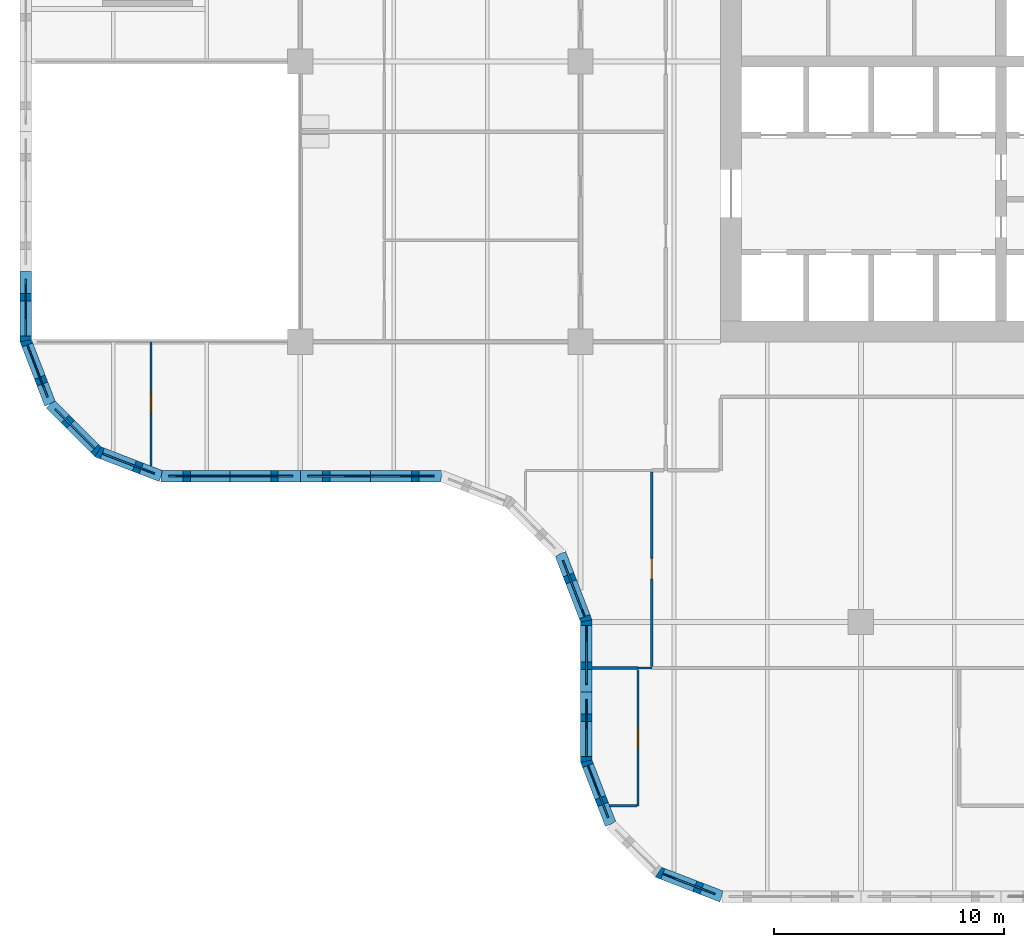
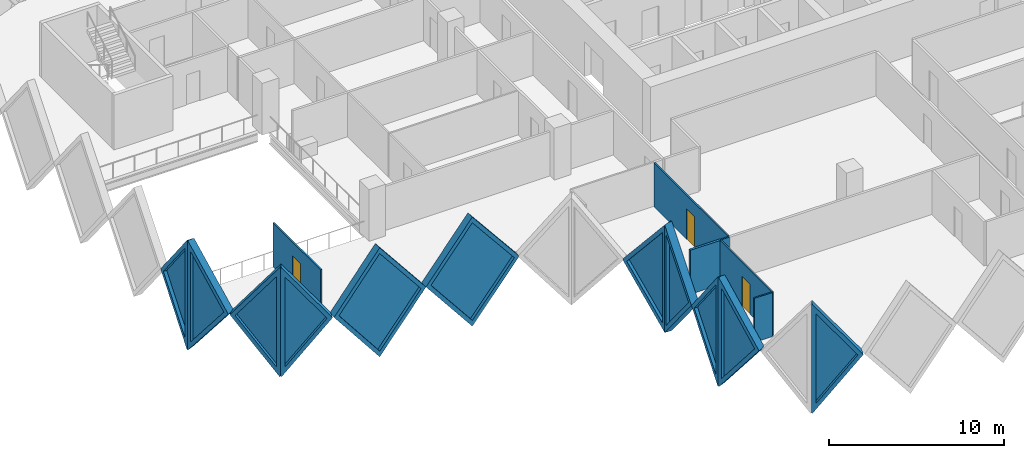
# One storey, part 4 of 20: 17 walls, 11 plates, 3 doors, 14 openings.
"""IFC4 building model written with IfcOpenShell, lengths in metres."""

import ifcopenshell
import ifcopenshell.guid

model = None  # the IFC model being written
_history = None  # IfcOwnerHistory: only IFC2X3 demands one
_inside = {}  # id of a spatial element -> (the spatial element, [elements in it])
_under = {}  # id of a project, library or spatial element -> (it, [spatial elements below it])
_declared = {}  # id of a project -> (the project, [libraries it declares])
_typed = {}  # id of a type object -> (the type object, [elements of that type])
_made_of = {}  # id of a material, layer set ... -> (it, [elements and type objects made of it])


def new_model(schema):
    """Start an empty IFC model of exactly this schema.

    Asked for "IFC4X3", IfcOpenShell would pick the latest addendum, in which some entities
    have other attributes; the version numbers below select the first issue.
    IFC2X3 requires an IfcOwnerHistory on every rooted entity: one is made here for all.
    """
    global model, _history
    if schema == "IFC4X3":
        model = ifcopenshell.file(schema_version=(4, 3, 0, 0))
    else:
        model = ifcopenshell.file(schema=schema)
    _inside.clear()
    _under.clear()
    _declared.clear()
    _typed.clear()
    _made_of.clear()
    _history = None
    if model.schema == "IFC2X3":
        org = make("IfcOrganization", Name="unknown")
        user = make(
            "IfcPersonAndOrganization",
            ThePerson=make("IfcPerson", FamilyName="unknown"),
            TheOrganization=org,
        )
        app = make(
            "IfcApplication",
            ApplicationDeveloper=org,
            Version="unknown",
            ApplicationFullName="unknown",
            ApplicationIdentifier="unknown",
        )
        _history = make(
            "IfcOwnerHistory",
            OwningUser=user,
            OwningApplication=app,
            ChangeAction="ADDED",
            CreationDate=0,
        )
    return model


def make(cls, **values):
    """One entity of the class cls with the attributes given. An attribute that is None is left unset."""
    return model.create_entity(
        cls, **{name: value for name, value in values.items() if value is not None}
    )


def rooted(cls, **values):
    """An entity with a GlobalId (a new one), such as an element, a storey or a relation."""
    return make(cls, GlobalId=ifcopenshell.guid.new(), OwnerHistory=_history, **values)


def si_unit(unit_type, name, prefix=None):
    """IfcSIUnit, for example si_unit("LENGTHUNIT", "METRE", prefix="MILLI")."""
    return make("IfcSIUnit", UnitType=unit_type, Prefix=prefix, Name=name)


def assignment(units):
    """IfcUnitAssignment: the units of a project."""
    return None if units is None else make("IfcUnitAssignment", Units=units)


def point(xyz):
    """IfcCartesianPoint."""
    return None if xyz is None else make("IfcCartesianPoint", Coordinates=xyz)


def direction(xyz):
    """IfcDirection."""
    return None if xyz is None else make("IfcDirection", DirectionRatios=xyz)


def frame(location, z_axis=None, x_axis=None):
    """IfcAxis2Placement3D, a coordinate frame: its origin and axes. An axis left out is left unset."""
    return make(
        "IfcAxis2Placement3D",
        Location=point(location),
        Axis=direction(z_axis),
        RefDirection=direction(x_axis),
    )


def frame_2d(location, x_axis=None):
    """IfcAxis2Placement2D, a coordinate frame in the plane: its origin and x axis."""
    return make(
        "IfcAxis2Placement2D", Location=point(location), RefDirection=direction(x_axis)
    )


def origin():
    """The frame at (0, 0, 0) with its axes left unset."""
    return frame((0.0, 0.0, 0.0))


def place(relative_to, where):
    """IfcLocalPlacement: puts the frame where relative to a parent placement (None: the world)."""
    return make(
        "IfcLocalPlacement", PlacementRelTo=relative_to, RelativePlacement=where
    )


def context(
    kind, dimensions, precision=None, world=None, true_north=None, identifier=None
):
    """IfcGeometricRepresentationContext, for example the 3D "Model" context."""
    return make(
        "IfcGeometricRepresentationContext",
        ContextIdentifier=identifier,
        ContextType=kind,
        CoordinateSpaceDimension=dimensions,
        Precision=precision,
        WorldCoordinateSystem=world,
        TrueNorth=true_north,
    )


def subcontext(parent, identifier, kind, view, scale=None):
    """IfcGeometricRepresentationSubContext, for example "Body" below "Model"."""
    return make(
        "IfcGeometricRepresentationSubContext",
        ContextIdentifier=identifier,
        ContextType=kind,
        ParentContext=parent,
        TargetScale=scale,
        TargetView=view,
    )


def project(units=None, contexts=None):
    """IfcProject with its units and contexts."""
    return rooted(
        "IfcProject",
        Name="project",
        RepresentationContexts=contexts,
        UnitsInContext=assignment(units),
    )


def spatial(cls, under=None, at=None, **own):
    """A site, building, storey or space (cls), placed at a placement, below another one or the project."""
    s = rooted(cls, ObjectPlacement=at, **own)
    if under is not None:
        _under.setdefault(under.id(), (under, []))[1].append(s)
    return s


def polyline(points):
    """IfcPolyline through the points."""
    return make("IfcPolyline", Points=[point(p) for p in points])


def profile(cls, at=None, kind="AREA", **sizes):
    """A parametric profile (cls). Its sizes go by their IFC names, for example OverallWidth=200.0."""
    return make(cls, ProfileType=kind, Position=at, **sizes)


def rectangle(**sizes):
    """IfcRectangleProfileDef."""
    return profile("IfcRectangleProfileDef", **sizes)


def outline(outer, holes=None, kind="AREA"):
    """IfcArbitraryClosedProfileDef: a profile drawn as a closed curve; with holes, ...WithVoids."""
    if holes is None:
        return make("IfcArbitraryClosedProfileDef", ProfileType=kind, OuterCurve=outer)
    return make(
        "IfcArbitraryProfileDefWithVoids",
        ProfileType=kind,
        OuterCurve=outer,
        InnerCurves=holes,
    )


def extrude(swept, where, along, depth):
    """IfcExtrudedAreaSolid: the profile swept, set in the frame where, extruded along a direction by depth."""
    return make(
        "IfcExtrudedAreaSolid",
        SweptArea=swept,
        Position=where,
        ExtrudedDirection=direction(along),
        Depth=depth,
    )


def faces_of(points, faces, orient=None, outer=None):
    """IfcFace entities. A face is a list of loops; a loop is a list of indices into points, from 0.

    orient and outer hold one flag for each loop. By default every Orientation is true, the
    first loop of a face is its IfcFaceOuterBound and the others are IfcFaceBound.
    """
    made = []
    for i, loops in enumerate(faces):
        bounds = []
        for j, loop in enumerate(loops):
            is_outer = j == 0 if outer is None else outer[i][j]
            bounds.append(
                make(
                    "IfcFaceOuterBound" if is_outer else "IfcFaceBound",
                    Bound=make("IfcPolyLoop", Polygon=[points[k] for k in loop]),
                    Orientation=True if orient is None else orient[i][j],
                )
            )
        made.append(make("IfcFace", Bounds=bounds))
    return made


def faceted_brep(points, faces, orient=None, outer=None, voids=None):
    """IfcFacetedBrep: a solid bounded by flat faces; with voids (closed shells), ...WithVoids."""
    shared = [point(p) for p in points]
    hull = make("IfcClosedShell", CfsFaces=faces_of(shared, faces, orient, outer))
    if voids is None:
        return make("IfcFacetedBrep", Outer=hull)
    return make(
        "IfcFacetedBrepWithVoids",
        Outer=hull,
        Voids=[
            make(cls, CfsFaces=faces_of(shared, fs, o, b)) for cls, fs, o, b in voids
        ],
    )


def shape(context_of_items, identifier, shape_type, items):
    """IfcShapeRepresentation: the items that make up one representation, for example the "Body"."""
    return make(
        "IfcShapeRepresentation",
        ContextOfItems=context_of_items,
        RepresentationIdentifier=identifier,
        RepresentationType=shape_type,
        Items=items,
    )


def source(mapping_origin, context_of_items, identifier, shape_type, items):
    """IfcRepresentationMap: a shape defined once, which mapped items show again and again."""
    return make(
        "IfcRepresentationMap",
        MappingOrigin=mapping_origin,
        MappedRepresentation=shape(context_of_items, identifier, shape_type, items),
    )


def transform(
    local_origin,
    x_axis=None,
    y_axis=None,
    z_axis=None,
    scale=None,
    scale2=None,
    scale3=None,
    uniform=True,
):
    """IfcCartesianTransformationOperator3D, or its non-uniform kind. x_axis, y_axis, z_axis: its Axis1, 2, 3."""
    if uniform:
        return make(
            "IfcCartesianTransformationOperator3D",
            Axis1=direction(x_axis),
            Axis2=direction(y_axis),
            LocalOrigin=point(local_origin),
            Scale=scale,
            Axis3=direction(z_axis),
        )
    return make(
        "IfcCartesianTransformationOperator3DnonUniform",
        Axis1=direction(x_axis),
        Axis2=direction(y_axis),
        LocalOrigin=point(local_origin),
        Scale=scale,
        Axis3=direction(z_axis),
        Scale2=scale2,
        Scale3=scale3,
    )


def mapped(mapping_source, mapping_target):
    """IfcMappedItem: shows the shape of a source again, moved by a transform."""
    return make(
        "IfcMappedItem", MappingSource=mapping_source, MappingTarget=mapping_target
    )


def material(Name=None, Category=None):
    """IfcMaterial."""
    return make("IfcMaterial", Name=Name, Category=Category)


def layer(
    of_material, thickness, ventilated=None, Name=None, Category=None, Priority=None
):
    """IfcMaterialLayer: one layer of a wall or slab, of a material (None: an air gap)."""
    return make(
        "IfcMaterialLayer",
        Material=of_material,
        LayerThickness=thickness,
        IsVentilated=ventilated,
        Name=Name,
        Category=Category,
        Priority=Priority,
    )


def layer_set(layers, Name=None):
    """IfcMaterialLayerSet."""
    return make("IfcMaterialLayerSet", MaterialLayers=layers, LayerSetName=Name)


def made_of(thing, what):
    """Note that an element or type object is made of a material, layer set ...; save() writes the relation."""
    if what is not None:
        _made_of.setdefault(what.id(), (what, []))[1].append(thing)
    return thing


def type_object(cls, material=None, **own):
    """A type object (cls), such as IfcWallType, which elements share."""
    return made_of(rooted(cls, **own), material)


def element(
    cls,
    number,
    at=None,
    inside=None,
    cuts=None,
    type_object=None,
    material=None,
    context=None,
    identifier="Body",
    shape_type=None,
    held_by="IfcProductDefinitionShape",
    body=None,
    shapes=None,
    **own,
):
    """One element of the class cls, such as IfcWall. Its Tag is "e" and its number.

    at: its placement. inside: the storey or other place that contains it. cuts: it is an
    opening in that element (IfcRelVoidsElement). A single representation is given by context,
    identifier, shape_type and body (its items); several are given by shapes. held_by: the class
    of the entity that holds the representations. save() writes the other relations.
    """
    e = rooted(cls, Tag="e%d" % number, ObjectPlacement=at, **own)
    if body is not None:
        shapes = [shape(context, identifier, shape_type, body)]
    if shapes is not None:
        e.Representation = make(held_by, Representations=shapes)
    if inside is not None:
        _inside.setdefault(inside.id(), (inside, []))[1].append(e)
    if cuts is not None:
        rooted(
            "IfcRelVoidsElement", RelatingBuildingElement=cuts, RelatedOpeningElement=e
        )
    if type_object is not None:
        _typed.setdefault(type_object.id(), (type_object, []))[1].append(e)
    return made_of(e, material)


def fill(opening, filler):
    """IfcRelFillsElement: the door or window that sits in an opening."""
    return rooted(
        "IfcRelFillsElement",
        RelatingOpeningElement=opening,
        RelatedBuildingElement=filler,
    )


def aggregate(whole, parts):
    """IfcRelAggregates: a whole, such as a stair, and the parts it consists of."""
    return rooted("IfcRelAggregates", RelatingObject=whole, RelatedObjects=parts)


def save(model, path):
    """Write the relations noted so far, then the file.

    IfcRelAggregates (storeys below a building ...), IfcRelContainedInSpatialStructure (elements
    in a storey), IfcRelDefinesByType, IfcRelAssociatesMaterial and IfcRelDeclares: one each for
    every whole, place, type object, material and project.
    """
    for whole, parts in _under.values():
        aggregate(whole, parts)
    for where, things in _inside.values():
        rooted(
            "IfcRelContainedInSpatialStructure",
            RelatedElements=things,
            RelatingStructure=where,
        )
    for kind, things in _typed.values():
        rooted("IfcRelDefinesByType", RelatedObjects=things, RelatingType=kind)
    for what, things in _made_of.values():
        rooted("IfcRelAssociatesMaterial", RelatedObjects=things, RelatingMaterial=what)
    for by, libraries in _declared.values():
        rooted("IfcRelDeclares", RelatingContext=by, RelatedDefinitions=libraries)
    model.write(path)


model = new_model("IFC4")

# Units and contexts
model_context = context("Model", 3, precision=1e-05, world=origin(), true_north=direction((0.0, 1.0)))
body_context = subcontext(model_context, "Body", "Model", "MODEL_VIEW")
ifc_project = project(units=[si_unit("LENGTHUNIT", "METRE"), si_unit("AREAUNIT", "SQUARE_METRE"), si_unit("VOLUMEUNIT", "CUBIC_METRE"), si_unit("PLANEANGLEUNIT", "RADIAN"), si_unit("MASSUNIT", "GRAM", prefix="KILO")], contexts=[model_context])

# Site, building, storey
site_placement = place(None, origin())
site = spatial("IfcSite", under=ifc_project, at=site_placement, CompositionType="ELEMENT")
building_placement = place(site_placement, origin())
building = spatial("IfcBuilding", under=site, at=building_placement, Name="Tessera Gate Towers", CompositionType="ELEMENT")
storey_placement = place(building_placement, frame((0.0, 0.0, 52.39990234375)))
storey = spatial("IfcBuildingStorey", under=building, at=storey_placement, Name="L12", CompositionType="ELEMENT", Elevation=52.39990234375)

# Wall
ifc_material_1 = material(Name="Glass", Category="glass")
ifc_layer_1 = layer(ifc_material_1, 0.10009765625)
ifc_layer_set_1 = layer_set([ifc_layer_1], Name="GLAZED PARTITION 100")
wall_type_1 = type_object("IfcWallType", Name="GLAZED PARTITION 100", PredefinedType="PARTITIONING", material=ifc_layer_set_1)
wall_1_placement = place(storey_placement, frame((26.90087890625, 10.199951171875, 0.0), z_axis=(0.0, 0.0, 1.0), x_axis=(1.0, 0.0, 0.0)))
element("IfcWall", 1, at=wall_1_placement, inside=storey, type_object=wall_type_1, Name="T1-L12-PW-011", PredefinedType="PARTITIONING", context=body_context, shape_type="SweptSolid", body=[
    extrude(rectangle(XDim=0.59814453125, YDim=0.10009765625, at=frame_2d((0.299072265625, 0.0))), origin(), (0.0, 0.0, 1.0), 3.067138671875),
])

# Wall, opening, door
wall_2_placement = place(storey_placement, frame((27.5, 10.27587890625, 0.0), z_axis=(0.0, 0.0, 1.0), x_axis=(0.0, 1.0, 0.0)))
wall_2 = element("IfcWall", 2, at=wall_2_placement, inside=storey, type_object=wall_type_1, Name="T1-L12-PW-013", PredefinedType="PARTITIONING", context=body_context, shape_type="SweptSolid", body=[
    extrude(rectangle(XDim=8.4482421875, YDim=0.10009765625, at=frame_2d((4.22412109375, 0.0))), origin(), (0.0, 0.0, 1.0), 3.067138671875),
])
shared_shape_1 = source(origin(), body_context, "Body", "SweptSolid", [
    extrude(rectangle(XDim=0.89990234375, YDim=2.10009765625, at=frame_2d((0.449951171875, 1.050048828125))), frame((0.0, 0.06005859375, 0.0), z_axis=(0.0, -1.0, 0.0), x_axis=(1.0, 0.0, 0.0)), (0.0, 0.0, 1.0), 0.1201171875),
])
opening_1_placement = place(wall_2_placement, frame((3.800048828125, 0.0, 0.0)))
opening_1 = element("IfcOpeningElement", 3, at=opening_1_placement, cuts=wall_2, Name="Opening D690-A04-03", PredefinedType="OPENING", context=body_context, shape_type="MappedRepresentation", body=[
    mapped(shared_shape_1, transform((0.0, 0.0, 0.0), scale=1.0)),
])
ifc_material_2 = material(Name="Glass in aluminium frame", Category="aluminium")
door_type_1 = type_object("IfcDoorType", Name="GLAZED DOOR 900 NOT RATED", OperationType="NOTDEFINED", PredefinedType="DOOR", material=ifc_material_2)
shared_shape_2 = source(origin(), body_context, "Body", "SweptSolid", [
    extrude(rectangle(XDim=0.89990234375, YDim=2.10009765625, at=frame_2d((0.449951171875, 1.050048828125))), frame((0.0, 0.02490234375, 0.0), z_axis=(0.0, -1.0, 0.0), x_axis=(1.0, 0.0, 0.0)), (0.0, 0.0, 1.0), 0.050048828125),
])
door_1_placement = place(opening_1_placement, origin())
door_1 = element("IfcDoor", 4, at=door_1_placement, inside=storey, type_object=door_type_1, Name="T1-L12-PD-019", OperationType="SINGLE_SWING_LEFT", OverallHeight=2.10009765625, OverallWidth=0.89990234375, PredefinedType="DOOR", context=body_context, shape_type="MappedRepresentation", body=[
    mapped(shared_shape_2, transform((0.0, 0.0, 0.0), scale=1.0)),
])
fill(opening_1, door_1)

wall_3_placement = place(storey_placement, frame((5.699951171875, 18.990234375, 0.0), z_axis=(0.0, 0.0, 1.0), x_axis=(0.0, 1.0, 0.0)))
wall_3 = element("IfcWall", 5, at=wall_3_placement, inside=storey, type_object=wall_type_1, Name="T1-L12-PW-025", PredefinedType="PARTITIONING", context=body_context, shape_type="SweptSolid", body=[
    extrude(rectangle(XDim=5.40966796875, YDim=0.10009765625, at=frame_2d((2.704833984375, 0.0))), origin(), (0.0, 0.0, 1.0), 3.067138671875),
])
opening_2_placement = place(wall_3_placement, frame((2.300048828125, 0.0, 0.0)))
opening_2 = element("IfcOpeningElement", 6, at=opening_2_placement, cuts=wall_3, Name="Opening D690-A04-02", PredefinedType="OPENING", context=body_context, shape_type="MappedRepresentation", body=[
    mapped(shared_shape_1, transform((0.0, 0.0, 0.0), scale=1.0)),
])
door_2_placement = place(opening_2_placement, origin())
door_2 = element("IfcDoor", 7, at=door_2_placement, inside=storey, type_object=door_type_1, Name="T1-L12-PD-013", OperationType="SINGLE_SWING_LEFT", OverallHeight=2.10009765625, OverallWidth=0.89990234375, PredefinedType="DOOR", context=body_context, shape_type="MappedRepresentation", body=[
    mapped(shared_shape_2, transform((0.0, 0.0, 0.0), scale=1.0)),
])
fill(opening_2, door_2)

# Wall
ifc_material_3 = material(Name="Gypsum board on steel studs", Category="steel")
ifc_layer_2 = layer(ifc_material_3, 0.10009765625)
ifc_layer_set_2 = layer_set([ifc_layer_2], Name="PARTITION 100")
wall_type_2 = type_object("IfcWallType", Name="PARTITION 100", PredefinedType="PARTITIONING", material=ifc_layer_set_2)
wall_4_placement = place(storey_placement, frame((25.668701171875, 4.199951171875, 0.0), z_axis=(0.0, 0.0, 1.0), x_axis=(1.0, 0.0, 0.0)))
element("IfcWall", 8, at=wall_4_placement, inside=storey, type_object=wall_type_2, Name="T1-L12-PW-003", PredefinedType="PARTITIONING", context=body_context, shape_type="SweptSolid", body=[
    extrude(rectangle(XDim=1.180419921875, YDim=0.10009765625, at=frame_2d((0.59033203125, 0.0))), origin(), (0.0, 0.0, 1.0), 3.067138671875),
])

# Wall, opening, door
wall_5_placement = place(storey_placement, frame((26.89990234375, 4.199951171875, 0.0), z_axis=(0.0, 0.0, 1.0), x_axis=(0.0, 1.0, 0.0)))
wall_5 = element("IfcWall", 9, at=wall_5_placement, inside=storey, type_object=wall_type_2, Name="T1-L12-PW-004", PredefinedType="PARTITIONING", context=body_context, shape_type="SweptSolid", body=[
    extrude(rectangle(XDim=5.924072265625, YDim=0.10009765625, at=frame_2d((2.9619140625, 0.0))), origin(), (0.0, 0.0, 1.0), 3.067138671875),
])
opening_3_placement = place(wall_5_placement, frame((2.5, 0.0, 0.0)))
opening_3 = element("IfcOpeningElement", 10, at=opening_3_placement, cuts=wall_5, Name="Opening D190-A04-09", PredefinedType="OPENING", context=body_context, shape_type="MappedRepresentation", body=[
    mapped(shared_shape_1, transform((0.0, 0.0, 0.0), scale=1.0)),
])
ifc_material_4 = material(Name="Timber door leaf in steel frame", Category="steel")
door_type_2 = type_object("IfcDoorType", Name="INTERNAL DOOR 900 NOT RATED", OperationType="NOTDEFINED", PredefinedType="DOOR", material=ifc_material_4)
door_3_placement = place(opening_3_placement, origin())
door_3 = element("IfcDoor", 11, at=door_3_placement, inside=storey, type_object=door_type_2, Name="T1-L12-PD-017", OperationType="SINGLE_SWING_LEFT", OverallHeight=2.10009765625, OverallWidth=0.89990234375, PredefinedType="DOOR", context=body_context, shape_type="MappedRepresentation", body=[
    mapped(shared_shape_2, transform((0.0, 0.0, 0.0), scale=1.0)),
])
fill(opening_3, door_3)

# Wall
ifc_material_5 = material(Name="Gypsum board on steel studs, mineral wool", Category="steel")
ifc_layer_3 = layer(ifc_material_5, 0.14990234375)
ifc_layer_set_3 = layer_set([ifc_layer_3], Name="TENANCY WALL 150")
wall_type_3 = type_object("IfcWallType", Name="TENANCY WALL 150", PredefinedType="PARTITIONING", material=ifc_layer_set_3)
wall_6_placement = place(storey_placement, frame((24.89990234375, 10.199951171875, 0.0), z_axis=(0.0, 0.0, 1.0), x_axis=(1.0, 0.0, 0.0)))
element("IfcWall", 12, at=wall_6_placement, inside=storey, type_object=wall_type_3, Name="T1-L12-PW-010", PredefinedType="PARTITIONING", context=body_context, shape_type="SweptSolid", body=[
    extrude(rectangle(XDim=2.0, YDim=0.14990234375, at=frame_2d((1.0, 0.0))), origin(), (0.0, 0.0, 1.0), 3.067138671875),
])

# Wall, opening, plate
ifc_material_6 = material(Name="Precast concrete C60/75 white", Category="concrete")
ifc_layer_4 = layer(ifc_material_6, 0.5)
ifc_layer_set_4 = layer_set([ifc_layer_4], Name="TS3 corner tessera")
wall_type_4 = type_object("IfcWallType", Name="TS3 corner tessera", PredefinedType="SOLIDWALL", material=ifc_layer_set_4)
shared_shape_3 = source(origin(), body_context, "Body", "Brep", [
    faceted_brep([(3.00341796875, -0.25, 0.0), (3.050048828125, -0.25, 0.06005859375), (3.050048828125, -0.25, 7.539794921875), (3.00341796875, -0.25, 7.599853515625), (0.0, -0.25, 3.7998046875), (0.0, 0.25, 3.7998046875), (2.956787109375, 0.25, 7.541015625), (2.956787109375, 0.25, 0.058837890625), (3.00341796875, 0.000244140625, 0.0), (3.00341796875, 0.000244140625, 7.599853515625)], [[[0, 1, 2, 3, 4]], [[5, 6, 7]], [[1, 0, 8]], [[9, 3, 2]], [[6, 5, 4, 3, 9]], [[5, 7, 8, 0, 4]], [[1, 8, 7, 6, 9, 2]]]),
])
wall_7_placement = place(storey_placement, frame((0.25, 27.449951171875, -3.7998046875), z_axis=(0.0, 0.0, 1.0), x_axis=(0.0, -1.0, 0.0)))
wall_7 = element("IfcWall", 13, at=wall_7_placement, inside=storey, type_object=wall_type_4, Name="Precast corner tessera T1 TS3-0253", PredefinedType="SOLIDWALL", context=body_context, shape_type="MappedRepresentation", body=[
    mapped(shared_shape_3, transform((0.0, 0.0, 0.0), scale=1.0)),
])
shared_shape_4 = source(origin(), body_context, "Body", "SweptSolid", [
    extrude(outline(polyline([(2.803466796875, 6.943603515625), (0.318603515625, 3.7998046875), (2.803466796875, 0.656005859375), (2.803466796875, 6.943603515625)])), frame((0.0, 0.260009765625, 0.0), z_axis=(0.0, -1.0, 0.0), x_axis=(1.0, 0.0, 0.0)), (0.0, 0.0, 1.0), 0.52001953125),
])
opening_4_placement = place(wall_7_placement, origin())
opening_4 = element("IfcOpeningElement", 14, at=opening_4_placement, cuts=wall_7, Name="Opening T1-PL2-0362", PredefinedType="OPENING", context=body_context, shape_type="MappedRepresentation", body=[
    mapped(shared_shape_4, transform((0.0, 0.0, 0.0), scale=1.0)),
])
ifc_material_7 = material(Name="Low-e laminated glass", Category="glass")
ifc_layer_5 = layer(ifc_material_7, 0.06005859375)
ifc_layer_set_5 = layer_set([ifc_layer_5], Name="PL2 rhombic pane")
plate_type = type_object("IfcPlateType", Name="PL2 rhombic pane", PredefinedType="SHEET", material=ifc_layer_set_5)
shared_shape_5 = source(origin(), body_context, "Body", "SweptSolid", [
    extrude(outline(polyline([(2.803466796875, 6.943603515625), (0.318603515625, 3.7998046875), (2.803466796875, 0.656005859375), (2.803466796875, 6.943603515625)])), frame((0.0, 0.030029296875, 0.0), z_axis=(0.0, -1.0, 0.0), x_axis=(1.0, 0.0, 0.0)), (0.0, 0.0, 1.0), 0.06005859375),
])
plate_1_placement = place(opening_4_placement, origin())
plate_1 = element("IfcPlate", 15, at=plate_1_placement, inside=storey, type_object=plate_type, Name="Glass pane T1 PL2-0362", PredefinedType="SHEET", context=body_context, shape_type="MappedRepresentation", body=[
    mapped(shared_shape_5, transform((0.0, 0.0, 0.0), scale=1.0)),
])
fill(opening_4, plate_1)

wall_8_placement = place(storey_placement, frame((24.64990234375, 9.14990234375, -3.7998046875), z_axis=(0.0, 0.0, 1.0), x_axis=(0.0, -1.0, 0.0)))
wall_8 = element("IfcWall", 16, at=wall_8_placement, inside=storey, type_object=wall_type_4, Name="Precast corner tessera T1 TS3-0261", PredefinedType="SOLIDWALL", context=body_context, shape_type="MappedRepresentation", body=[
    mapped(shared_shape_3, transform((0.0, 0.0, 0.0), scale=1.0)),
])
opening_5_placement = place(wall_8_placement, origin())
opening_5 = element("IfcOpeningElement", 17, at=opening_5_placement, cuts=wall_8, Name="Opening T1-PL2-0372", PredefinedType="OPENING", context=body_context, shape_type="MappedRepresentation", body=[
    mapped(shared_shape_4, transform((0.0, 0.0, 0.0), scale=1.0)),
])
plate_2_placement = place(opening_5_placement, origin())
plate_2 = element("IfcPlate", 18, at=plate_2_placement, inside=storey, type_object=plate_type, Name="Glass pane T1 PL2-0372", PredefinedType="SHEET", context=body_context, shape_type="MappedRepresentation", body=[
    mapped(shared_shape_5, transform((0.0, 0.0, 0.0), scale=1.0)),
])
fill(opening_5, plate_2)

shared_shape_6 = source(origin(), body_context, "Body", "Brep", [
    faceted_brep([(0.046630859375, -0.25, 0.0), (2.9970703125, -0.25, 3.7998046875), (0.046630859375, -0.25, 7.599853515625), (0.0, -0.25, 7.541015625), (0.0, -0.25, 0.058837890625), (0.09326171875, 0.25, 7.539794921875), (2.9443359375, 0.25, 3.867919921875), (2.9443359375, 0.25, 3.731689453125), (0.09326171875, 0.25, 0.06005859375), (2.9970703125, 0.00048828125, 3.7998046875), (0.046630859375, 0.0, 0.0), (0.046630859375, 0.0, 7.599853515625)], [[[0, 1, 2, 3, 4]], [[5, 6, 7, 8]], [[8, 7, 9, 1, 0, 10]], [[6, 5, 11, 2, 1, 9]], [[3, 2, 11]], [[10, 0, 4]], [[8, 10, 4, 3, 11, 5]], [[9, 7, 6]]]),
])
wall_9_placement = place(storey_placement, frame((0.233154296875, 24.489990234375, -3.7998046875), z_axis=(0.0, 0.0, 1.0), x_axis=(0.359901446078, -0.932990326376, 0.0)))
wall_9 = element("IfcWall", 19, at=wall_9_placement, inside=storey, type_object=wall_type_4, Name="Precast corner tessera T1 TS3-0254", PredefinedType="SOLIDWALL", context=body_context, shape_type="MappedRepresentation", body=[
    mapped(shared_shape_6, transform((0.0, 0.0, 0.0), scale=1.0)),
])
shared_shape_7 = source(origin(), body_context, "Body", "SweptSolid", [
    extrude(outline(polyline([(0.24658203125, 0.6650390625), (2.6806640625, 3.7998046875), (0.24658203125, 6.9345703125), (0.24658203125, 0.6650390625)])), frame((0.0, 0.260009765625, 0.0), z_axis=(0.0, -1.0, 0.0), x_axis=(1.0, 0.0, 0.0)), (0.0, 0.0, 1.0), 0.52001953125),
])
opening_6_placement = place(wall_9_placement, origin())
opening_6 = element("IfcOpeningElement", 20, at=opening_6_placement, cuts=wall_9, Name="Opening T1-PL2-0363", PredefinedType="OPENING", context=body_context, shape_type="MappedRepresentation", body=[
    mapped(shared_shape_7, transform((0.0, 0.0, 0.0), scale=1.0)),
])
shared_shape_8 = source(origin(), body_context, "Body", "SweptSolid", [
    extrude(outline(polyline([(0.24658203125, 0.6650390625), (2.6806640625, 3.7998046875), (0.24658203125, 6.9345703125), (0.24658203125, 0.6650390625)])), frame((0.0, 0.030029296875, 0.0), z_axis=(0.0, -1.0, 0.0), x_axis=(1.0, 0.0, 0.0)), (0.0, 0.0, 1.0), 0.06005859375),
])
plate_3_placement = place(opening_6_placement, origin())
plate_3 = element("IfcPlate", 21, at=plate_3_placement, inside=storey, type_object=plate_type, Name="Glass pane T1 PL2-0363", PredefinedType="SHEET", context=body_context, shape_type="MappedRepresentation", body=[
    mapped(shared_shape_8, transform((0.0, 0.0, 0.0), scale=1.0)),
])
fill(opening_6, plate_3)

wall_10_placement = place(storey_placement, frame((24.63330078125, 6.18994140625, -3.7998046875), z_axis=(0.0, 0.0, 1.0), x_axis=(0.359901446078, -0.932990326376, 0.0)))
wall_10 = element("IfcWall", 22, at=wall_10_placement, inside=storey, type_object=wall_type_4, Name="Precast corner tessera T1 TS3-0262", PredefinedType="SOLIDWALL", context=body_context, shape_type="MappedRepresentation", body=[
    mapped(shared_shape_6, transform((0.0, 0.0, 0.0), scale=1.0)),
])
opening_7_placement = place(wall_10_placement, origin())
opening_7 = element("IfcOpeningElement", 23, at=opening_7_placement, cuts=wall_10, Name="Opening T1-PL2-0373", PredefinedType="OPENING", context=body_context, shape_type="MappedRepresentation", body=[
    mapped(shared_shape_7, transform((0.0, 0.0, 0.0), scale=1.0)),
])
plate_4_placement = place(opening_7_placement, origin())
plate_4 = element("IfcPlate", 24, at=plate_4_placement, inside=storey, type_object=plate_type, Name="Glass pane T1 PL2-0373", PredefinedType="SHEET", context=body_context, shape_type="MappedRepresentation", body=[
    mapped(shared_shape_8, transform((0.0, 0.0, 0.0), scale=1.0)),
])
fill(opening_7, plate_4)

shared_shape_9 = source(origin(), body_context, "Body", "Brep", [
    faceted_brep([(2.944091796875, -0.25, 0.0), (2.9970703125, -0.25, 0.068115234375), (2.9970703125, -0.25, 7.53173828125), (2.944091796875, -0.25, 7.599853515625), (0.0, -0.25, 3.7998046875), (0.052978515625, 0.25, 3.8681640625), (2.89111328125, 0.25, 7.53173828125), (2.89111328125, 0.25, 0.068115234375), (0.052978515625, 0.25, 3.7314453125), (2.944091796875, 0.000244140625, 0.0), (2.944091796875, 0.000244140625, 7.599853515625), (0.0, 0.0, 3.7998046875)], [[[0, 1, 2, 3, 4]], [[5, 6, 7, 8]], [[1, 0, 9]], [[10, 3, 2]], [[6, 5, 11, 4, 3, 10]], [[8, 7, 9, 0, 4, 11]], [[8, 11, 5]], [[1, 9, 7, 6, 10, 2]]]),
])
wall_11_placement = place(storey_placement, frame((1.31201171875, 21.69384765625, -3.7998046875), z_axis=(0.0, 0.0, 1.0), x_axis=(0.707066050402, -0.707147509625, 0.0)))
wall_11 = element("IfcWall", 25, at=wall_11_placement, inside=storey, type_object=wall_type_4, Name="Precast corner tessera T1 TS3-0255", PredefinedType="SOLIDWALL", context=body_context, shape_type="MappedRepresentation", body=[
    mapped(shared_shape_9, transform((0.0, 0.0, 0.0), scale=1.0)),
])
shared_shape_10 = source(origin(), body_context, "Body", "SweptSolid", [
    extrude(outline(polyline([(2.744140625, 6.93359375), (0.316162109375, 3.7998046875), (2.744140625, 0.666259765625), (2.744140625, 6.93359375)])), frame((0.0, 0.260009765625, 0.0), z_axis=(0.0, -1.0, 0.0), x_axis=(1.0, 0.0, 0.0)), (0.0, 0.0, 1.0), 0.52001953125),
])
opening_8_placement = place(wall_11_placement, origin())
opening_8 = element("IfcOpeningElement", 26, at=opening_8_placement, cuts=wall_11, Name="Opening T1-PL2-0364", PredefinedType="OPENING", context=body_context, shape_type="MappedRepresentation", body=[
    mapped(shared_shape_10, transform((0.0, 0.0, 0.0), scale=1.0)),
])
shared_shape_11 = source(origin(), body_context, "Body", "SweptSolid", [
    extrude(outline(polyline([(2.744140625, 6.93359375), (0.316162109375, 3.7998046875), (2.744140625, 0.666259765625), (2.744140625, 6.93359375)])), frame((0.0, 0.030029296875, 0.0), z_axis=(0.0, -1.0, 0.0), x_axis=(1.0, 0.0, 0.0)), (0.0, 0.0, 1.0), 0.06005859375),
])
plate_5_placement = place(opening_8_placement, origin())
plate_5 = element("IfcPlate", 27, at=plate_5_placement, inside=storey, type_object=plate_type, Name="Glass pane T1 PL2-0364", PredefinedType="SHEET", context=body_context, shape_type="MappedRepresentation", body=[
    mapped(shared_shape_11, transform((0.0, 0.0, 0.0), scale=1.0)),
])
fill(opening_8, plate_5)

ifc_material_8 = material(Name="Precast concrete C60/75 white", Category="concrete")
ifc_layer_6 = layer(ifc_material_8, 0.5)
ifc_layer_set_6 = layer_set([ifc_layer_6], Name="TS1 tessera")
wall_type_5 = type_object("IfcWallType", Name="TS1 tessera", PredefinedType="SOLIDWALL", material=ifc_layer_set_6)
shared_shape_12 = source(origin(), body_context, "Body", "Brep", [
    faceted_brep([(3.00341796875, -0.25, 0.0), (6.053466796875, -0.25, 3.7998046875), (3.00341796875, -0.25, 7.599853515625), (0.0, -0.25, 3.7998046875), (0.046630859375, 0.25, 3.858642578125), (3.00341796875, 0.25, 7.599853515625), (6.053466796875, 0.25, 3.7998046875), (3.00341796875, 0.25, 0.0), (0.046630859375, 0.25, 3.740966796875), (0.0, 0.0, 3.7998046875)], [[[0, 1, 2, 3]], [[4, 5, 6, 7, 8]], [[7, 6, 1, 0]], [[6, 5, 2, 1]], [[5, 4, 9, 3, 2]], [[8, 7, 0, 3, 9]], [[8, 9, 4]]]),
])
wall_12_placement = place(storey_placement, frame((6.146484375, 18.550048828125, -3.7998046875), z_axis=(0.0, 0.0, 1.0), x_axis=(1.0, 0.0, 0.0)))
wall_12 = element("IfcWall", 28, at=wall_12_placement, inside=storey, type_object=wall_type_5, Name="Precast tessera T1 TS1-0182", PredefinedType="SOLIDWALL", context=body_context, shape_type="MappedRepresentation", body=[
    mapped(shared_shape_12, transform((0.0, 0.0, 0.0), scale=1.0)),
])
shared_shape_13 = source(origin(), body_context, "Body", "SweptSolid", [
    extrude(outline(polyline([(3.0048828125, 0.401123046875), (5.73291015625, 3.7998046875), (3.0048828125, 7.19873046875), (0.318603515625, 3.7998046875), (3.0048828125, 0.401123046875)])), frame((0.0, 0.260009765625, 0.0), z_axis=(0.0, -1.0, 0.0), x_axis=(1.0, 0.0, 0.0)), (0.0, 0.0, 1.0), 0.52001953125),
])
opening_9_placement = place(wall_12_placement, origin())
opening_9 = element("IfcOpeningElement", 29, at=opening_9_placement, cuts=wall_12, Name="Opening T1-PL2-0366", PredefinedType="OPENING", context=body_context, shape_type="MappedRepresentation", body=[
    mapped(shared_shape_13, transform((0.0, 0.0, 0.0), scale=1.0)),
])
shared_shape_14 = source(origin(), body_context, "Body", "SweptSolid", [
    extrude(outline(polyline([(3.0048828125, 0.401123046875), (5.73291015625, 3.7998046875), (3.0048828125, 7.19873046875), (0.318603515625, 3.7998046875), (3.0048828125, 0.401123046875)])), frame((0.0, 0.030029296875, 0.0), z_axis=(0.0, -1.0, 0.0), x_axis=(1.0, 0.0, 0.0)), (0.0, 0.0, 1.0), 0.06005859375),
])
plate_6_placement = place(opening_9_placement, origin())
plate_6 = element("IfcPlate", 30, at=plate_6_placement, inside=storey, type_object=plate_type, Name="Glass pane T1 PL2-0366", PredefinedType="SHEET", context=body_context, shape_type="MappedRepresentation", body=[
    mapped(shared_shape_14, transform((0.0, 0.0, 0.0), scale=1.0)),
])
fill(opening_9, plate_6)

shared_shape_15 = source(origin(), body_context, "Body", "Brep", [
    faceted_brep([(0.052978515625, -0.25, 0.0), (3.00341796875, -0.25, 3.7998046875), (0.052978515625, -0.25, 7.599853515625), (0.0, -0.25, 7.531494140625), (0.0, -0.25, 0.068359375), (0.10595703125, 0.25, 7.53173828125), (2.95703125, 0.25, 3.859619140625), (2.95703125, 0.25, 3.739990234375), (0.10595703125, 0.25, 0.068115234375), (3.00341796875, 0.00048828125, 3.7998046875), (0.052978515625, 0.0, 0.0), (0.052978515625, 0.0, 7.599853515625)], [[[0, 1, 2, 3, 4]], [[5, 6, 7, 8]], [[8, 7, 9, 1, 0, 10]], [[6, 5, 11, 2, 1, 9]], [[3, 2, 11]], [[10, 0, 4]], [[8, 10, 4, 3, 11, 5]], [[9, 7, 6]]]),
])
wall_13_placement = place(storey_placement, frame((3.34423828125, 19.630859375, -3.7998046875), z_axis=(0.0, 0.0, 1.0), x_axis=(0.933007896601, -0.359855894603, 0.0)))
wall_13 = element("IfcWall", 31, at=wall_13_placement, inside=storey, type_object=wall_type_4, Name="Precast corner tessera T1 TS3-0256", PredefinedType="SOLIDWALL", context=body_context, shape_type="MappedRepresentation", body=[
    mapped(shared_shape_15, transform((0.0, 0.0, 0.0), scale=1.0)),
])
shared_shape_16 = source(origin(), body_context, "Body", "SweptSolid", [
    extrude(outline(polyline([(0.2529296875, 0.6650390625), (2.68701171875, 3.7998046875), (0.2529296875, 6.9345703125), (0.2529296875, 0.6650390625)])), frame((0.0, 0.260009765625, 0.0), z_axis=(0.0, -1.0, 0.0), x_axis=(1.0, 0.0, 0.0)), (0.0, 0.0, 1.0), 0.52001953125),
])
opening_10_placement = place(wall_13_placement, origin())
opening_10 = element("IfcOpeningElement", 32, at=opening_10_placement, cuts=wall_13, Name="Opening T1-PL2-0365", PredefinedType="OPENING", context=body_context, shape_type="MappedRepresentation", body=[
    mapped(shared_shape_16, transform((0.0, 0.0, 0.0), scale=1.0)),
])
shared_shape_17 = source(origin(), body_context, "Body", "SweptSolid", [
    extrude(outline(polyline([(0.2529296875, 0.6650390625), (2.68701171875, 3.7998046875), (0.2529296875, 6.9345703125), (0.2529296875, 0.6650390625)])), frame((0.0, 0.030029296875, 0.0), z_axis=(0.0, -1.0, 0.0), x_axis=(1.0, 0.0, 0.0)), (0.0, 0.0, 1.0), 0.06005859375),
])
plate_7_placement = place(opening_10_placement, origin())
plate_7 = element("IfcPlate", 33, at=plate_7_placement, inside=storey, type_object=plate_type, Name="Glass pane T1 PL2-0365", PredefinedType="SHEET", context=body_context, shape_type="MappedRepresentation", body=[
    mapped(shared_shape_17, transform((0.0, 0.0, 0.0), scale=1.0)),
])
fill(opening_10, plate_7)

wall_14_placement = place(storey_placement, frame((27.744384765625, 1.3310546875, -3.7998046875), z_axis=(0.0, 0.0, 1.0), x_axis=(0.932970071518, -0.359953949349, 0.0)))
wall_14 = element("IfcWall", 34, at=wall_14_placement, inside=storey, type_object=wall_type_4, Name="Precast corner tessera T1 TS3-0264", PredefinedType="SOLIDWALL", context=body_context, shape_type="MappedRepresentation", body=[
    mapped(shared_shape_15, transform((0.0, 0.0, 0.0), scale=1.0)),
])
opening_11_placement = place(wall_14_placement, origin())
opening_11 = element("IfcOpeningElement", 35, at=opening_11_placement, cuts=wall_14, Name="Opening T1-PL2-0375", PredefinedType="OPENING", context=body_context, shape_type="MappedRepresentation", body=[
    mapped(shared_shape_16, transform((0.0, 0.0, 0.0), scale=1.0)),
])
plate_8_placement = place(opening_11_placement, origin())
plate_8 = element("IfcPlate", 36, at=plate_8_placement, inside=storey, type_object=plate_type, Name="Glass pane T1 PL2-0375", PredefinedType="SHEET", context=body_context, shape_type="MappedRepresentation", body=[
    mapped(shared_shape_17, transform((0.0, 0.0, 0.0), scale=1.0)),
])
fill(opening_11, plate_8)

shared_shape_18 = source(origin(), body_context, "Body", "Brep", [
    faceted_brep([(3.050048828125, -0.25, 0.0), (6.10009765625, -0.25, 3.74267578125), (6.10009765625, -0.25, 3.85693359375), (3.050048828125, -0.25, 7.599853515625), (0.0, -0.25, 3.7998046875), (0.0, 0.25, 3.7998046875), (3.050048828125, 0.25, 7.599853515625), (6.146484375, 0.25, 3.7998046875), (3.050048828125, 0.25, 0.0), (6.146484375, -0.000244140625, 3.7998046875)], [[[0, 1, 2, 3, 4]], [[5, 6, 7, 8]], [[8, 7, 9, 1, 0]], [[7, 6, 3, 2, 9]], [[6, 5, 4, 3]], [[5, 8, 0, 4]], [[1, 9, 2]]]),
])
wall_15_placement = place(storey_placement, frame((12.199951171875, 18.550048828125, -3.7998046875), z_axis=(0.0, 0.0, 1.0), x_axis=(1.0, 0.0, 0.0)))
wall_15 = element("IfcWall", 37, at=wall_15_placement, inside=storey, type_object=wall_type_5, Name="Precast tessera T1 TS1-0183", PredefinedType="SOLIDWALL", context=body_context, shape_type="MappedRepresentation", body=[
    mapped(shared_shape_18, transform((0.0, 0.0, 0.0), scale=1.0)),
])
shared_shape_19 = source(origin(), body_context, "Body", "SweptSolid", [
    extrude(outline(polyline([(3.051513671875, 0.3974609375), (5.823974609375, 3.7998046875), (3.051513671875, 7.202392578125), (0.320556640625, 3.7998046875), (3.051513671875, 0.3974609375)])), frame((0.0, 0.260009765625, 0.0), z_axis=(0.0, -1.0, 0.0), x_axis=(1.0, 0.0, 0.0)), (0.0, 0.0, 1.0), 0.52001953125),
])
opening_12_placement = place(wall_15_placement, origin())
opening_12 = element("IfcOpeningElement", 38, at=opening_12_placement, cuts=wall_15, Name="Opening T1-PL2-0367", PredefinedType="OPENING", context=body_context, shape_type="MappedRepresentation", body=[
    mapped(shared_shape_19, transform((0.0, 0.0, 0.0), scale=1.0)),
])
shared_shape_20 = source(origin(), body_context, "Body", "SweptSolid", [
    extrude(outline(polyline([(3.051513671875, 0.3974609375), (5.823974609375, 3.7998046875), (3.051513671875, 7.202392578125), (0.320556640625, 3.7998046875), (3.051513671875, 0.3974609375)])), frame((0.0, 0.030029296875, 0.0), z_axis=(0.0, -1.0, 0.0), x_axis=(1.0, 0.0, 0.0)), (0.0, 0.0, 1.0), 0.06005859375),
])
plate_9_placement = place(opening_12_placement, origin())
plate_9 = element("IfcPlate", 39, at=plate_9_placement, inside=storey, type_object=plate_type, Name="Glass pane T1 PL2-0367", PredefinedType="SHEET", context=body_context, shape_type="MappedRepresentation", body=[
    mapped(shared_shape_20, transform((0.0, 0.0, 0.0), scale=1.0)),
])
fill(opening_12, plate_9)

shared_shape_21 = source(origin(), body_context, "Body", "Brep", [
    faceted_brep([(3.10302734375, -0.25, 7.543701171875), (0.052978515625, -0.25, 3.86376953125), (0.052978515625, -0.25, 3.73583984375), (3.10302734375, -0.25, 0.05615234375), (0.0, 0.25, 3.7998046875), (3.1494140625, 0.25, 7.599853515625), (3.196044921875, 0.25, 7.542724609375), (3.196044921875, 0.25, 0.05712890625), (3.1494140625, 0.25, 0.0), (3.1494140625, -0.000244140625, 0.0), (3.1494140625, -0.000244140625, 7.599853515625), (0.0, 0.0, 3.7998046875)], [[[0, 1, 2, 3]], [[4, 5, 6, 7, 8]], [[8, 7, 9]], [[6, 5, 10]], [[5, 4, 11, 1, 0, 10]], [[4, 8, 9, 3, 2, 11]], [[11, 2, 1]], [[3, 9, 7, 6, 10, 0]]]),
])
wall_16_placement = place(storey_placement, frame((23.5166015625, 15.18505859375, -3.7998046875), z_axis=(0.0, 0.0, 1.0), x_axis=(0.359864468756, -0.933004589553, 0.0)))
wall_16 = element("IfcWall", 40, at=wall_16_placement, inside=storey, type_object=wall_type_4, Name="Precast corner tessera T1 TS3-0259", PredefinedType="SOLIDWALL", context=body_context, shape_type="MappedRepresentation", body=[
    mapped(shared_shape_21, transform((0.0, 0.0, 0.0), scale=1.0)),
])
shared_shape_22 = source(origin(), body_context, "Body", "SweptSolid", [
    extrude(outline(polyline([(2.949462890625, 6.966796875), (0.32470703125, 3.7998046875), (2.949462890625, 0.633056640625), (2.949462890625, 6.966796875)])), frame((0.0, 0.260009765625, 0.0), z_axis=(0.0, -1.0, 0.0), x_axis=(1.0, 0.0, 0.0)), (0.0, 0.0, 1.0), 0.52001953125),
])
opening_13_placement = place(wall_16_placement, origin())
opening_13 = element("IfcOpeningElement", 41, at=opening_13_placement, cuts=wall_16, Name="Opening T1-PL2-0370", PredefinedType="OPENING", context=body_context, shape_type="MappedRepresentation", body=[
    mapped(shared_shape_22, transform((0.0, 0.0, 0.0), scale=1.0)),
])
shared_shape_23 = source(origin(), body_context, "Body", "SweptSolid", [
    extrude(outline(polyline([(2.949462890625, 6.966796875), (0.32470703125, 3.7998046875), (2.949462890625, 0.633056640625), (2.949462890625, 6.966796875)])), frame((0.0, 0.030029296875, 0.0), z_axis=(0.0, -1.0, 0.0), x_axis=(1.0, 0.0, 0.0)), (0.0, 0.0, 1.0), 0.06005859375),
])
plate_10_placement = place(opening_13_placement, origin())
plate_10 = element("IfcPlate", 42, at=plate_10_placement, inside=storey, type_object=plate_type, Name="Glass pane T1 PL2-0370", PredefinedType="SHEET", context=body_context, shape_type="MappedRepresentation", body=[
    mapped(shared_shape_23, transform((0.0, 0.0, 0.0), scale=1.0)),
])
fill(opening_13, plate_10)

shared_shape_24 = source(origin(), body_context, "Body", "Brep", [
    faceted_brep([(0.09326171875, -0.25, 0.05712890625), (3.14306640625, -0.25, 3.7998046875), (0.09326171875, -0.25, 7.542724609375), (0.0, 0.25, 7.543701171875), (0.046630859375, 0.25, 7.599853515625), (3.14306640625, 0.25, 3.7998046875), (0.046630859375, 0.25, 0.0), (0.0, 0.25, 0.05615234375), (0.046630859375, 0.0, 0.0), (0.046630859375, 0.0, 7.599853515625)], [[[0, 1, 2]], [[3, 4, 5, 6, 7]], [[6, 5, 1, 0, 8]], [[5, 4, 9, 2, 1]], [[4, 3, 9]], [[7, 6, 8]], [[7, 8, 0, 2, 9, 3]]]),
])
wall_17_placement = place(storey_placement, frame((24.64990234375, 12.293212890625, -3.7998046875), z_axis=(0.0, 0.0, 1.0), x_axis=(0.0, -1.0, 0.0)))
wall_17 = element("IfcWall", 43, at=wall_17_placement, inside=storey, type_object=wall_type_4, Name="Precast corner tessera T1 TS3-0260", PredefinedType="SOLIDWALL", context=body_context, shape_type="MappedRepresentation", body=[
    mapped(shared_shape_24, transform((0.0, 0.0, 0.0), scale=1.0)),
])
shared_shape_25 = source(origin(), body_context, "Body", "SweptSolid", [
    extrude(outline(polyline([(0.24658203125, 0.64111328125), (2.82080078125, 3.7998046875), (0.24658203125, 6.958740234375), (0.24658203125, 0.64111328125)])), frame((0.0, 0.260009765625, 0.0), z_axis=(0.0, -1.0, 0.0), x_axis=(1.0, 0.0, 0.0)), (0.0, 0.0, 1.0), 0.52001953125),
])
opening_14_placement = place(wall_17_placement, origin())
opening_14 = element("IfcOpeningElement", 44, at=opening_14_placement, cuts=wall_17, Name="Opening T1-PL2-0371", PredefinedType="OPENING", context=body_context, shape_type="MappedRepresentation", body=[
    mapped(shared_shape_25, transform((0.0, 0.0, 0.0), scale=1.0)),
])
shared_shape_26 = source(origin(), body_context, "Body", "SweptSolid", [
    extrude(outline(polyline([(0.24658203125, 0.64111328125), (2.82080078125, 3.7998046875), (0.24658203125, 6.958740234375), (0.24658203125, 0.64111328125)])), frame((0.0, 0.030029296875, 0.0), z_axis=(0.0, -1.0, 0.0), x_axis=(1.0, 0.0, 0.0)), (0.0, 0.0, 1.0), 0.06005859375),
])
plate_11_placement = place(opening_14_placement, origin())
plate_11 = element("IfcPlate", 45, at=plate_11_placement, inside=storey, type_object=plate_type, Name="Glass pane T1 PL2-0371", PredefinedType="SHEET", context=body_context, shape_type="MappedRepresentation", body=[
    mapped(shared_shape_26, transform((0.0, 0.0, 0.0), scale=1.0)),
])
fill(opening_14, plate_11)

save(model, "model.ifc")
